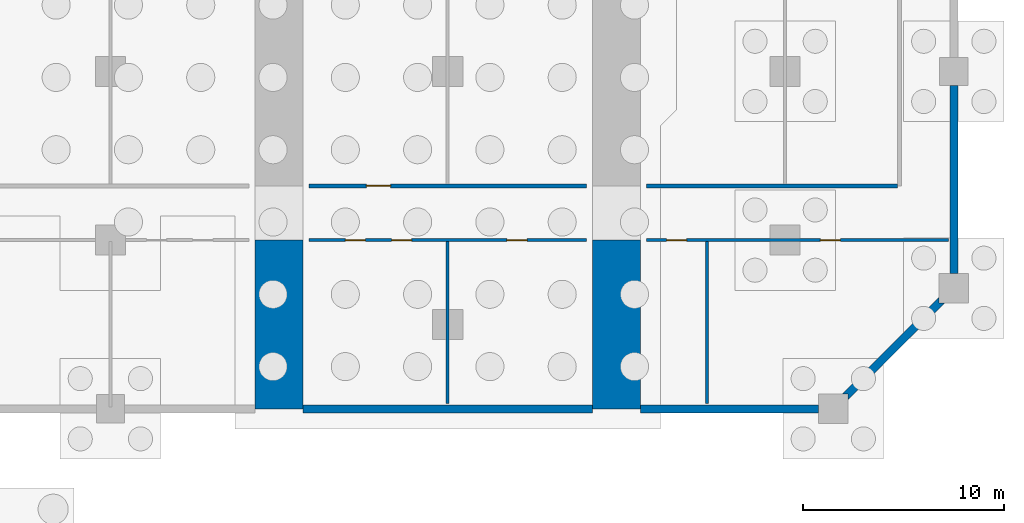
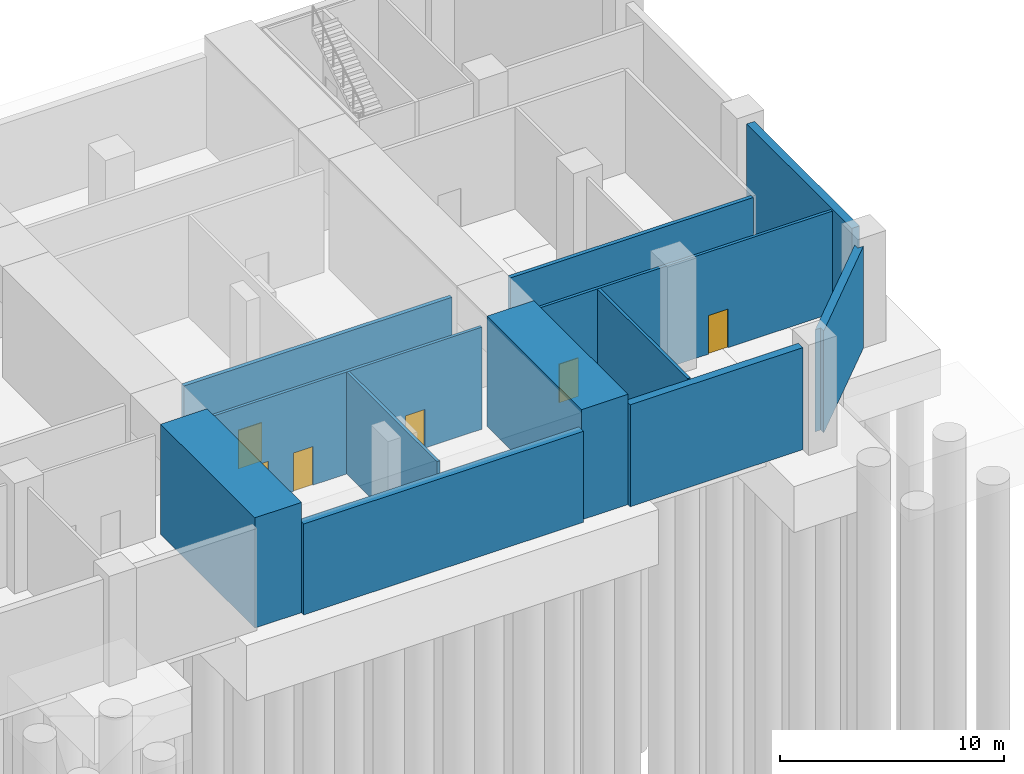
# One storey, part 6 of 13: 12 walls, 6 doors, 6 openings.
"""IFC4 building model written with IfcOpenShell, lengths in metres."""

from ifc_helpers import new_model, si_unit, direction, frame, frame_2d, origin, place, context, subcontext, project, spatial, polyline, rectangle, outline, extrude, material, layer, layer_set, type_object, element, fill, save


model = new_model("IFC4")

# Units and contexts
model_context = context("Model", 3, precision=1e-05, world=origin(), true_north=direction((0.0, 1.0)))
body_context = subcontext(model_context, "Body", "Model", "MODEL_VIEW")
ifc_project = project(units=[si_unit("LENGTHUNIT", "METRE"), si_unit("AREAUNIT", "SQUARE_METRE"), si_unit("VOLUMEUNIT", "CUBIC_METRE"), si_unit("PLANEANGLEUNIT", "RADIAN"), si_unit("MASSUNIT", "GRAM", prefix="KILO")], contexts=[model_context])

# Site, building, storey
site_placement = place(None, origin())
site = spatial("IfcSite", under=ifc_project, at=site_placement, CompositionType="ELEMENT")
building_placement = place(site_placement, origin())
building = spatial("IfcBuilding", under=site, at=building_placement, Name="Kawkab Arch Medical Tower", CompositionType="ELEMENT")
storey_placement = place(building_placement, frame((0.0, 0.0, -6.0)))
storey = spatial("IfcBuildingStorey", under=building, at=storey_placement, Name="B1", CompositionType="ELEMENT", Elevation=-6.0)

# Walls
ifc_material_1 = material(Name="Concrete C60/75", Category="concrete")
wall_type_1 = type_object("IfcWallType", Name="Arch wall C60/75", PredefinedType="SHEAR", material=ifc_material_1)
placement_1 = place(storey_placement, frame((0.0, -25.199951171875, 6.0), z_axis=(0.0, -1.0, 0.0), x_axis=(1.0, 0.0, 0.0)))
element("IfcWall", 1, at=placement_1, inside=storey, type_object=wall_type_1, Name="Arch wall B1-5", PredefinedType="SHEAR", context=body_context, shape_type="SweptSolid", body=[
    extrude(outline(polyline([(60.0, 0.0), (60.0, -6.0), (57.60009765625, -6.0), (57.60009765625, 0.0), (60.0, 0.0)])), origin(), (0.0, 0.0, 1.0), 8.400146484375),
])
element("IfcWall", 2, at=placement_1, inside=storey, type_object=wall_type_1, Name="Arch wall B1-10", PredefinedType="SHEAR", context=body_context, shape_type="SweptSolid", body=[
    extrude(outline(polyline([(74.39990234375, -6.0), (74.39990234375, 0.0), (76.800048828125, 0.0), (76.800048828125, -6.0), (74.39990234375, -6.0)])), origin(), (0.0, 0.0, 1.0), 8.400146484375),
])
ifc_material_2 = material(Name="Concrete C45/55", Category="concrete")
ifc_layer_1 = layer(ifc_material_2, 0.39990234375)
ifc_layer_set_1 = layer_set([ifc_layer_1], Name="Concrete C45/55")
wall_type_2 = type_object("IfcWallType", Name="Basement wall 400 C45/55", PredefinedType="SOLIDWALL", material=ifc_layer_set_1)
placement_2 = place(storey_placement, origin())
element("IfcWall", 3, at=placement_2, inside=storey, type_object=wall_type_2, Name="Basement wall 14", PredefinedType="SOLIDWALL", context=body_context, shape_type="SweptSolid", body=[
    extrude(outline(polyline([(92.199951171875, -26.875), (92.199951171875, -17.5), (92.60009765625, -17.5), (92.60009765625, -26.875), (92.199951171875, -26.875)])), origin(), (0.0, 0.0, 1.0), 5.550048828125),
])
element("IfcWall", 4, at=placement_2, inside=storey, type_object=wall_type_2, Name="Basement wall 16", PredefinedType="SOLIDWALL", context=body_context, shape_type="SweptSolid", body=[
    extrude(outline(polyline([(87.125, -32.875), (86.84228515625, -32.875), (91.675048828125, -28.042236328125), (91.675048828125, -28.324951171875), (91.957763671875, -28.324951171875), (87.125, -33.15771484375), (87.125, -32.875)])), origin(), (0.0, 0.0, 1.0), 5.550048828125),
])
element("IfcWall", 5, at=placement_2, inside=storey, type_object=wall_type_2, Name="Basement wall 19", PredefinedType="SOLIDWALL", context=body_context, shape_type="SweptSolid", body=[
    extrude(outline(polyline([(60.0, -33.39990234375), (74.39990234375, -33.39990234375), (74.39990234375, -33.800048828125), (60.0, -33.800048828125), (60.0, -33.39990234375)])), origin(), (0.0, 0.0, 1.0), 4.949951171875),
])
element("IfcWall", 6, at=placement_2, inside=storey, type_object=wall_type_2, Name="Basement wall 20", PredefinedType="SOLIDWALL", context=body_context, shape_type="SweptSolid", body=[
    extrude(outline(polyline([(76.800048828125, -33.39990234375), (85.675048828125, -33.39990234375), (85.675048828125, -33.800048828125), (76.800048828125, -33.800048828125), (76.800048828125, -33.39990234375)])), origin(), (0.0, 0.0, 1.0), 5.550048828125),
])

# Wall, openings, doors
ifc_material_3 = material(Name="Gypsum board partition on steel studs, mineral wool", Category="steel")
ifc_layer_2 = layer(ifc_material_3, 0.14990234375)
ifc_layer_set_2 = layer_set([ifc_layer_2], Name="Gypsum board partition on steel studs, mineral wool")
wall_type_3 = type_object("IfcWallType", Name="Partition 150", PredefinedType="PARTITIONING", material=ifc_layer_set_2)
wall_7_placement = place(storey_placement, frame((60.300048828125, -25.199951171875, 0.0), z_axis=(0.0, 0.0, 1.0), x_axis=(1.0, 0.0, 0.0)))
wall_7 = element("IfcWall", 7, at=wall_7_placement, inside=storey, type_object=wall_type_3, Name="Partition 150 w020", PredefinedType="PARTITIONING", context=body_context, shape_type="SweptSolid", body=[
    extrude(rectangle(XDim=13.800048828125, YDim=0.14990234375, at=frame_2d((6.89990234375, 0.0))), origin(), (0.0, 0.0, 1.0), 5.550048828125),
])
opening_1_placement = place(wall_7_placement, frame((4.10009765625, 0.0, 0.0)))
opening_1 = element("IfcOpeningElement", 8, at=opening_1_placement, cuts=wall_7, Name="Opening B01-005", PredefinedType="OPENING", context=body_context, shape_type="SweptSolid", body=[
    extrude(rectangle(XDim=1.0, YDim=2.10009765625, at=frame_2d((0.5, 1.050048828125))), frame((0.0, 0.0849609375, 0.0), z_axis=(0.0, -1.0, 0.0), x_axis=(1.0, 0.0, 0.0)), (0.0, 0.0, 1.0), 0.169921875),
])
opening_2_placement = place(wall_7_placement, frame((1.800048828125, 0.0, 0.0)))
opening_2 = element("IfcOpeningElement", 9, at=opening_2_placement, cuts=wall_7, Name="Opening B01-006", PredefinedType="OPENING", context=body_context, shape_type="SweptSolid", body=[
    extrude(rectangle(XDim=1.0, YDim=2.10009765625, at=frame_2d((0.5, 1.050048828125))), frame((0.0, 0.0849609375, 0.0), z_axis=(0.0, -1.0, 0.0), x_axis=(1.0, 0.0, 0.0)), (0.0, 0.0, 1.0), 0.169921875),
])
opening_3_placement = place(wall_7_placement, frame((9.85009765625, 0.0, 0.0)))
opening_3 = element("IfcOpeningElement", 10, at=opening_3_placement, cuts=wall_7, Name="Opening B01-007", PredefinedType="OPENING", context=body_context, shape_type="SweptSolid", body=[
    extrude(rectangle(XDim=1.0, YDim=2.10009765625, at=frame_2d((0.5, 1.050048828125))), frame((0.0, 0.0849609375, 0.0), z_axis=(0.0, -1.0, 0.0), x_axis=(1.0, 0.0, 0.0)), (0.0, 0.0, 1.0), 0.169921875),
])
ifc_material_4 = material(Name="Hollow metal door leaf")
door_type_1 = type_object("IfcDoorType", Name="Single door 1000x2100 FD30S", OperationType="NOTDEFINED", PredefinedType="DOOR", material=ifc_material_4)
door_1_placement = place(opening_1_placement, origin())
door_1 = element("IfcDoor", 11, at=door_1_placement, inside=storey, type_object=door_type_1, Name="Door B01-005", OperationType="SINGLE_SWING_RIGHT", OverallHeight=2.10009765625, OverallWidth=1.0, PredefinedType="DOOR", context=body_context, shape_type="SweptSolid", body=[
    extrude(rectangle(XDim=1.0, YDim=2.10009765625, at=frame_2d((0.5, 1.050048828125))), frame((0.0, 0.02490234375, 0.0), z_axis=(0.0, -1.0, 0.0), x_axis=(1.0, 0.0, 0.0)), (0.0, 0.0, 1.0), 0.050048828125),
])
fill(opening_1, door_1)
door_2_placement = place(opening_2_placement, origin())
door_2 = element("IfcDoor", 12, at=door_2_placement, inside=storey, type_object=door_type_1, Name="Door B01-006", OperationType="SINGLE_SWING_RIGHT", OverallHeight=2.10009765625, OverallWidth=1.0, PredefinedType="DOOR", context=body_context, shape_type="SweptSolid", body=[
    extrude(rectangle(XDim=1.0, YDim=2.10009765625, at=frame_2d((0.5, 1.050048828125))), frame((0.0, 0.02490234375, 0.0), z_axis=(0.0, -1.0, 0.0), x_axis=(1.0, 0.0, 0.0)), (0.0, 0.0, 1.0), 0.050048828125),
])
fill(opening_2, door_2)
door_3_placement = place(opening_3_placement, origin())
door_3 = element("IfcDoor", 13, at=door_3_placement, inside=storey, type_object=door_type_1, Name="Door B01-007", OperationType="SINGLE_SWING_LEFT", OverallHeight=2.10009765625, OverallWidth=1.0, PredefinedType="DOOR", context=body_context, shape_type="SweptSolid", body=[
    extrude(rectangle(XDim=1.0, YDim=2.10009765625, at=frame_2d((0.5, 1.050048828125))), frame((0.0, 0.02490234375, 0.0), z_axis=(0.0, -1.0, 0.0), x_axis=(1.0, 0.0, 0.0)), (0.0, 0.0, 1.0), 0.050048828125),
])
fill(opening_3, door_3)

wall_8_placement = place(storey_placement, frame((77.10009765625, -25.199951171875, 0.0), z_axis=(0.0, 0.0, 1.0), x_axis=(1.0, 0.0, 0.0)))
wall_8 = element("IfcWall", 14, at=wall_8_placement, inside=storey, type_object=wall_type_3, Name="Partition 150 w021", PredefinedType="PARTITIONING", context=body_context, shape_type="SweptSolid", body=[
    extrude(rectangle(XDim=15.02587890625, YDim=0.14990234375, at=frame_2d((7.512939453125, 0.0))), origin(), (0.0, 0.0, 1.0), 5.550048828125),
])
opening_4_placement = place(wall_8_placement, frame((1.0, 0.0, 0.0)))
opening_4 = element("IfcOpeningElement", 15, at=opening_4_placement, cuts=wall_8, Name="Opening B01-008", PredefinedType="OPENING", context=body_context, shape_type="SweptSolid", body=[
    extrude(rectangle(XDim=1.0, YDim=2.10009765625, at=frame_2d((0.5, 1.050048828125))), frame((0.0, 0.0849609375, 0.0), z_axis=(0.0, -1.0, 0.0), x_axis=(1.0, 0.0, 0.0)), (0.0, 0.0, 1.0), 0.169921875),
])
opening_5_placement = place(wall_8_placement, frame((8.64990234375, 0.0, 0.0)))
opening_5 = element("IfcOpeningElement", 16, at=opening_5_placement, cuts=wall_8, Name="Opening B01-009", PredefinedType="OPENING", context=body_context, shape_type="SweptSolid", body=[
    extrude(rectangle(XDim=1.0, YDim=2.10009765625, at=frame_2d((0.5, 1.050048828125))), frame((0.0, 0.0849609375, 0.0), z_axis=(0.0, -1.0, 0.0), x_axis=(1.0, 0.0, 0.0)), (0.0, 0.0, 1.0), 0.169921875),
])
door_4_placement = place(opening_4_placement, origin())
door_4 = element("IfcDoor", 17, at=door_4_placement, inside=storey, type_object=door_type_1, Name="Door B01-008", OperationType="SINGLE_SWING_RIGHT", OverallHeight=2.10009765625, OverallWidth=1.0, PredefinedType="DOOR", context=body_context, shape_type="SweptSolid", body=[
    extrude(rectangle(XDim=1.0, YDim=2.10009765625, at=frame_2d((0.5, 1.050048828125))), frame((0.0, 0.02490234375, 0.0), z_axis=(0.0, -1.0, 0.0), x_axis=(1.0, 0.0, 0.0)), (0.0, 0.0, 1.0), 0.050048828125),
])
fill(opening_4, door_4)
door_5_placement = place(opening_5_placement, origin())
door_5 = element("IfcDoor", 18, at=door_5_placement, inside=storey, type_object=door_type_1, Name="Door B01-009", OperationType="SINGLE_SWING_LEFT", OverallHeight=2.10009765625, OverallWidth=1.0, PredefinedType="DOOR", context=body_context, shape_type="SweptSolid", body=[
    extrude(rectangle(XDim=1.0, YDim=2.10009765625, at=frame_2d((0.5, 1.050048828125))), frame((0.0, 0.02490234375, 0.0), z_axis=(0.0, -1.0, 0.0), x_axis=(1.0, 0.0, 0.0)), (0.0, 0.0, 1.0), 0.050048828125),
])
fill(opening_5, door_5)

# Walls
for number, where, z_axis, x_axis, name in (
    (19, (67.199951171875, -33.325927734375, 0.0), (0.0, 0.0, 1.0), (0.0, 1.0, 0.0), "Partition 150 w032"),
    (20, (80.10009765625, -33.325927734375, 0.0), (0.0, 0.0, 1.0), (0.0, 1.0, 0.0), "Partition 150 w034"),
):
    element("IfcWall", number, at=place(storey_placement, frame(where, z_axis=z_axis, x_axis=x_axis)), inside=storey, type_object=wall_type_3, Name=name, PredefinedType="PARTITIONING", context=body_context, shape_type="SweptSolid", body=[
        extrude(rectangle(XDim=8.051025390625, YDim=0.14990234375, at=frame_2d((4.025390625, 0.0))), origin(), (0.0, 0.0, 1.0), 5.550048828125),
    ])

# Wall, opening, door
ifc_material_5 = material(Name="Fire-rated gypsum board partition on steel studs", Category="steel")
ifc_layer_3 = layer(ifc_material_5, 0.199951171875)
ifc_layer_set_3 = layer_set([ifc_layer_3], Name="Fire-rated gypsum board partition on steel studs")
wall_type_4 = type_object("IfcWallType", Name="Protected partition 200", PredefinedType="PARTITIONING", material=ifc_layer_set_3)
wall_9_placement = place(storey_placement, frame((60.300048828125, -22.5, 0.0), z_axis=(0.0, 0.0, 1.0), x_axis=(1.0, 0.0, 0.0)))
wall_9 = element("IfcWall", 21, at=wall_9_placement, inside=storey, type_object=wall_type_4, Name="Protected partition 200 w039", PredefinedType="PARTITIONING", context=body_context, shape_type="SweptSolid", body=[
    extrude(rectangle(XDim=13.800048828125, YDim=0.199951171875, at=frame_2d((6.89990234375, 0.0))), origin(), (0.0, 0.0, 1.0), 5.550048828125),
])
opening_6_placement = place(wall_9_placement, frame((2.85009765625, 0.0, 0.0)))
opening_6 = element("IfcOpeningElement", 22, at=opening_6_placement, cuts=wall_9, Name="Opening B01-032", PredefinedType="OPENING", context=body_context, shape_type="SweptSolid", body=[
    extrude(rectangle(XDim=1.199951171875, YDim=2.10009765625, at=frame_2d((0.60009765625, 1.050048828125))), frame((0.0, 0.10986328125, 0.0), z_axis=(0.0, -1.0, 0.0), x_axis=(1.0, 0.0, 0.0)), (0.0, 0.0, 1.0), 0.219970703125),
])
ifc_material_6 = material(Name="Hollow metal door leaf")
door_type_2 = type_object("IfcDoorType", Name="Single door 1200x2100 FD60", OperationType="NOTDEFINED", PredefinedType="DOOR", material=ifc_material_6)
door_6_placement = place(opening_6_placement, origin())
door_6 = element("IfcDoor", 23, at=door_6_placement, inside=storey, type_object=door_type_2, Name="Door B01-032", OperationType="SINGLE_SWING_LEFT", OverallHeight=2.10009765625, OverallWidth=1.199951171875, PredefinedType="DOOR", context=body_context, shape_type="SweptSolid", body=[
    extrude(rectangle(XDim=1.199951171875, YDim=2.10009765625, at=frame_2d((0.60009765625, 1.050048828125))), frame((0.0, 0.02490234375, 0.0), z_axis=(0.0, -1.0, 0.0), x_axis=(1.0, 0.0, 0.0)), (0.0, 0.0, 1.0), 0.050048828125),
])
fill(opening_6, door_6)

# Wall
wall_10_placement = place(storey_placement, frame((77.10009765625, -22.5, 0.0), z_axis=(0.0, 0.0, 1.0), x_axis=(1.0, 0.0, 0.0)))
element("IfcWall", 24, at=wall_10_placement, inside=storey, type_object=wall_type_4, Name="Protected partition 200 w040", PredefinedType="PARTITIONING", context=body_context, shape_type="SweptSolid", body=[
    extrude(rectangle(XDim=12.5, YDim=0.199951171875, at=frame_2d((6.25, 0.0))), origin(), (0.0, 0.0, 1.0), 5.550048828125),
])

save(model, "model.ifc")
